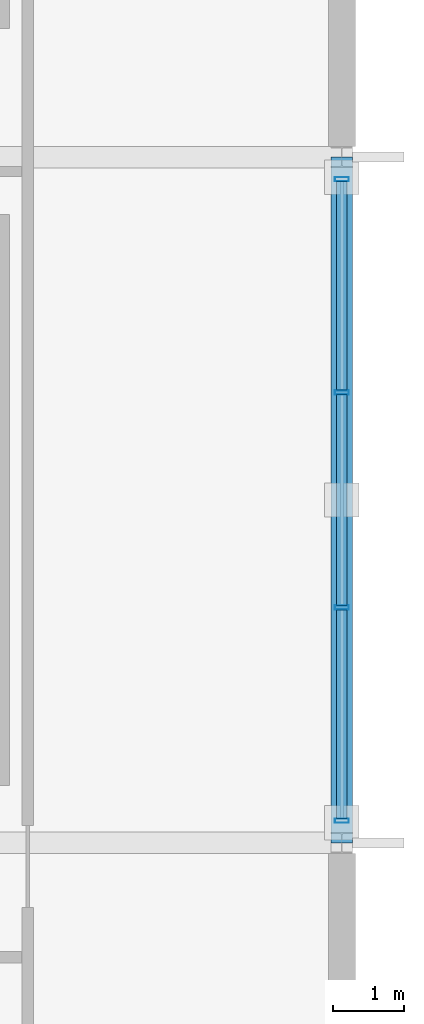
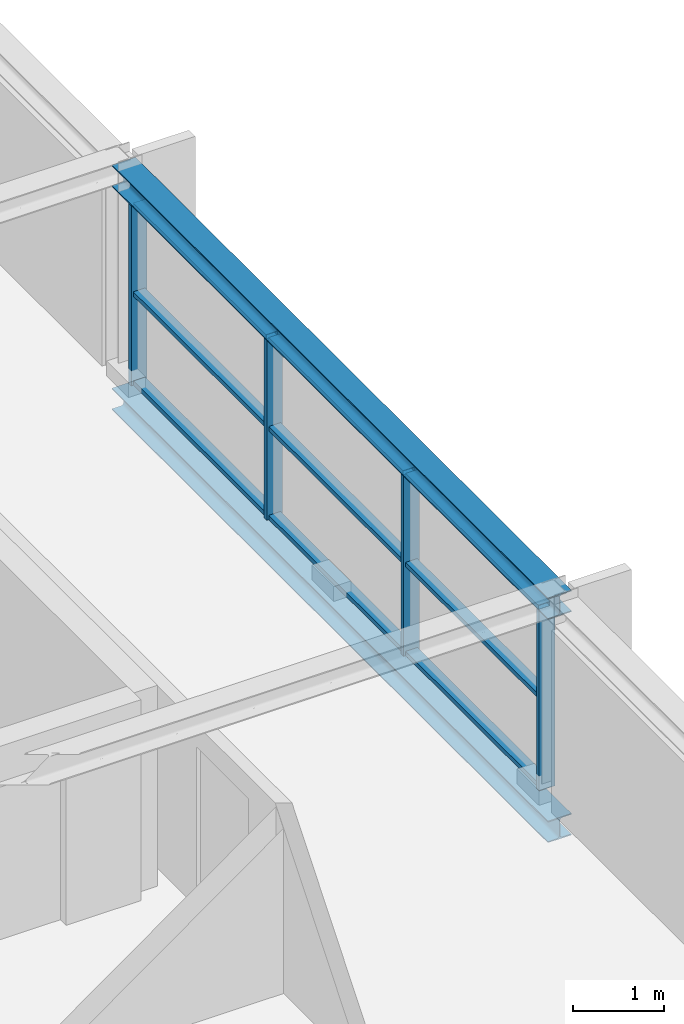
# One storey, part 10 of 14: 13 members, 2 beams, 1 element without a shape of its own.
"""IFC4 building model written with IfcOpenShell, lengths in metres."""

from ifc_helpers import new_model, si_unit, direction, frame, origin, origin_2d, place, context, subcontext, project, spatial, hollow_rectangle, i_section, extrude, material, material_profile, profile_set, type_object, element, aggregate, save


model = new_model("IFC4")

# Units and contexts
model_context = context("Model", 3, precision=1e-05, world=origin(), true_north=direction((0.0, 1.0)))
body_context = subcontext(model_context, "Body", "Model", "MODEL_VIEW")
ifc_project = project(units=[si_unit("LENGTHUNIT", "METRE"), si_unit("AREAUNIT", "SQUARE_METRE"), si_unit("VOLUMEUNIT", "CUBIC_METRE"), si_unit("PLANEANGLEUNIT", "RADIAN"), si_unit("MASSUNIT", "GRAM", prefix="KILO")], contexts=[model_context])

# Site, building, storey
site_placement = place(None, origin())
site = spatial("IfcSite", under=ifc_project, at=site_placement, CompositionType="ELEMENT")
building_placement = place(site_placement, origin())
building = spatial("IfcBuilding", under=site, at=building_placement, Name="Merenkruunu Market Hall", CompositionType="ELEMENT")
storey_placement = place(building_placement, frame((0.0, 0.0, 18.60009765625)))
storey = spatial("IfcBuildingStorey", under=building, at=storey_placement, Name="L04", CompositionType="ELEMENT", Elevation=18.60009765625)

# Curtain wall, members
ifc_material_1 = material(Name="Powder-coated aluminium", Category="aluminium")
curtain_wall_type = type_object("IfcCurtainWallType", Name="Glazed Curtain Wall CW07", PredefinedType="USERDEFINED", material=ifc_material_1)
curtain_wall_placement = place(storey_placement, origin())
curtain_wall = element("IfcCurtainWall", 1, at=curtain_wall_placement, inside=storey, type_object=curtain_wall_type, Name="CW-L04-CWM03-224", ObjectType="GLAZED_FACADE", PredefinedType="USERDEFINED")
ifc_material_profile_1 = material_profile(ifc_material_1, hollow_rectangle(XDim=0.06005859375, YDim=0.199951171875, WallThickness=0.0048828125, at=origin_2d()), Name="ALU 60x200x5")
ifc_profile_set_1 = profile_set([ifc_material_profile_1], Name="Powder-coated aluminium")
member_type_1 = type_object("IfcMemberType", Name="Curtain Wall Mullion CWM03", PredefinedType="MULLION", material=ifc_profile_set_1)
member_1_placement = place(storey_placement, frame((192.0, 15.2900390625, 0.0), z_axis=(0.0, 0.0, 1.0), x_axis=(0.0, -1.0, 0.0)))
member_1 = element("IfcMember", 2, at=member_1_placement, type_object=member_type_1, Name="CW07 mullion 1", PredefinedType="MULLION", context=body_context, shape_type="SweptSolid", body=[
    extrude(hollow_rectangle(XDim=0.06005859375, YDim=0.199951171875, WallThickness=0.0048828125, at=origin_2d()), origin(), (0.0, 0.0, 1.0), 2.449951171875),
])
member_2_placement = place(storey_placement, frame((192.0, 12.306640625, 0.0), z_axis=(0.0, 0.0, 1.0), x_axis=(0.0, -1.0, 0.0)))
member_2 = element("IfcMember", 3, at=member_2_placement, type_object=member_type_1, Name="CW07 mullion 2", PredefinedType="MULLION", context=body_context, shape_type="SweptSolid", body=[
    extrude(hollow_rectangle(XDim=0.06005859375, YDim=0.199951171875, WallThickness=0.0048828125, at=origin_2d()), origin(), (0.0, 0.0, 1.0), 2.449951171875),
])
member_3_placement = place(storey_placement, frame((192.0, 9.293212890625, 0.0), z_axis=(0.0, 0.0, 1.0), x_axis=(0.0, -1.0, 0.0)))
member_3 = element("IfcMember", 4, at=member_3_placement, type_object=member_type_1, Name="CW07 mullion 3", PredefinedType="MULLION", context=body_context, shape_type="SweptSolid", body=[
    extrude(hollow_rectangle(XDim=0.06005859375, YDim=0.199951171875, WallThickness=0.0048828125, at=origin_2d()), origin(), (0.0, 0.0, 1.0), 2.449951171875),
])
member_4_placement = place(storey_placement, frame((192.0, 6.31005859375, 0.0), z_axis=(0.0, 0.0, 1.0), x_axis=(0.0, -1.0, 0.0)))
member_4 = element("IfcMember", 5, at=member_4_placement, type_object=member_type_1, Name="CW07 mullion 4", PredefinedType="MULLION", context=body_context, shape_type="SweptSolid", body=[
    extrude(hollow_rectangle(XDim=0.06005859375, YDim=0.199951171875, WallThickness=0.0048828125, at=origin_2d()), origin(), (0.0, 0.0, 1.0), 2.449951171875),
])
ifc_material_profile_2 = material_profile(ifc_material_1, hollow_rectangle(XDim=0.06005859375, YDim=0.14990234375, WallThickness=0.00390625, at=origin_2d()), Name="ALU 60x150x4")
ifc_profile_set_2 = profile_set([ifc_material_profile_2], Name="Powder-coated aluminium")
member_type_2 = type_object("IfcMemberType", Name="Curtain Wall Transom CWT04", PredefinedType="USERDEFINED", material=ifc_profile_set_2)
member_5_placement = place(storey_placement, frame((192.0, 15.260009765625, 0.02978515625), z_axis=(0.0, -1.0, 0.0), x_axis=(0.0, 0.0, 1.0)))
member_5 = element("IfcMember", 6, at=member_5_placement, type_object=member_type_2, Name="CW07 transom 1.1", ObjectType="TRANSOM", PredefinedType="USERDEFINED", context=body_context, shape_type="SweptSolid", body=[
    extrude(hollow_rectangle(XDim=0.06005859375, YDim=0.14990234375, WallThickness=0.00390625, at=origin_2d()), origin(), (0.0, 0.0, 1.0), 2.92333984375),
])
member_6_placement = place(storey_placement, frame((192.0, 15.260009765625, 1.224853515625), z_axis=(0.0, -1.0, 0.0), x_axis=(0.0, 0.0, 1.0)))
member_6 = element("IfcMember", 7, at=member_6_placement, type_object=member_type_2, Name="CW07 transom 1.2", ObjectType="TRANSOM", PredefinedType="USERDEFINED", context=body_context, shape_type="SweptSolid", body=[
    extrude(hollow_rectangle(XDim=0.06005859375, YDim=0.14990234375, WallThickness=0.00390625, at=origin_2d()), origin(), (0.0, 0.0, 1.0), 2.92333984375),
])
member_7_placement = place(storey_placement, frame((192.0, 15.260009765625, 2.419921875), z_axis=(0.0, -1.0, 0.0), x_axis=(0.0, 0.0, 1.0)))
member_7 = element("IfcMember", 8, at=member_7_placement, type_object=member_type_2, Name="CW07 transom 1.3", ObjectType="TRANSOM", PredefinedType="USERDEFINED", context=body_context, shape_type="SweptSolid", body=[
    extrude(hollow_rectangle(XDim=0.06005859375, YDim=0.14990234375, WallThickness=0.00390625, at=origin_2d()), origin(), (0.0, 0.0, 1.0), 2.92333984375),
])
member_8_placement = place(storey_placement, frame((192.0, 12.276611328125, 0.02978515625), z_axis=(0.0, -1.0, 0.0), x_axis=(0.0, 0.0, 1.0)))
member_8 = element("IfcMember", 9, at=member_8_placement, type_object=member_type_2, Name="CW07 transom 2.1", ObjectType="TRANSOM", PredefinedType="USERDEFINED", context=body_context, shape_type="SweptSolid", body=[
    extrude(hollow_rectangle(XDim=0.06005859375, YDim=0.14990234375, WallThickness=0.00390625, at=origin_2d()), origin(), (0.0, 0.0, 1.0), 2.953369140625),
])
member_9_placement = place(storey_placement, frame((192.0, 12.276611328125, 1.224853515625), z_axis=(0.0, -1.0, 0.0), x_axis=(0.0, 0.0, 1.0)))
member_9 = element("IfcMember", 10, at=member_9_placement, type_object=member_type_2, Name="CW07 transom 2.2", ObjectType="TRANSOM", PredefinedType="USERDEFINED", context=body_context, shape_type="SweptSolid", body=[
    extrude(hollow_rectangle(XDim=0.06005859375, YDim=0.14990234375, WallThickness=0.00390625, at=origin_2d()), origin(), (0.0, 0.0, 1.0), 2.953369140625),
])
member_10_placement = place(storey_placement, frame((192.0, 12.276611328125, 2.419921875), z_axis=(0.0, -1.0, 0.0), x_axis=(0.0, 0.0, 1.0)))
member_10 = element("IfcMember", 11, at=member_10_placement, type_object=member_type_2, Name="CW07 transom 2.3", ObjectType="TRANSOM", PredefinedType="USERDEFINED", context=body_context, shape_type="SweptSolid", body=[
    extrude(hollow_rectangle(XDim=0.06005859375, YDim=0.14990234375, WallThickness=0.00390625, at=origin_2d()), origin(), (0.0, 0.0, 1.0), 2.953369140625),
])
member_11_placement = place(storey_placement, frame((192.0, 9.263427734375, 0.02978515625), z_axis=(0.0, -1.0, 0.0), x_axis=(0.0, 0.0, 1.0)))
member_11 = element("IfcMember", 12, at=member_11_placement, type_object=member_type_2, Name="CW07 transom 3.1", ObjectType="TRANSOM", PredefinedType="USERDEFINED", context=body_context, shape_type="SweptSolid", body=[
    extrude(hollow_rectangle(XDim=0.06005859375, YDim=0.14990234375, WallThickness=0.00390625, at=origin_2d()), origin(), (0.0, 0.0, 1.0), 2.92333984375),
])
member_12_placement = place(storey_placement, frame((192.0, 9.263427734375, 1.224853515625), z_axis=(0.0, -1.0, 0.0), x_axis=(0.0, 0.0, 1.0)))
member_12 = element("IfcMember", 13, at=member_12_placement, type_object=member_type_2, Name="CW07 transom 3.2", ObjectType="TRANSOM", PredefinedType="USERDEFINED", context=body_context, shape_type="SweptSolid", body=[
    extrude(hollow_rectangle(XDim=0.06005859375, YDim=0.14990234375, WallThickness=0.00390625, at=origin_2d()), origin(), (0.0, 0.0, 1.0), 2.92333984375),
])
member_13_placement = place(storey_placement, frame((192.0, 9.263427734375, 2.419921875), z_axis=(0.0, -1.0, 0.0), x_axis=(0.0, 0.0, 1.0)))
member_13 = element("IfcMember", 14, at=member_13_placement, type_object=member_type_2, Name="CW07 transom 3.3", ObjectType="TRANSOM", PredefinedType="USERDEFINED", context=body_context, shape_type="SweptSolid", body=[
    extrude(hollow_rectangle(XDim=0.06005859375, YDim=0.14990234375, WallThickness=0.00390625, at=origin_2d()), origin(), (0.0, 0.0, 1.0), 2.92333984375),
])
aggregate(curtain_wall, [member_1, member_2, member_3, member_4, member_5, member_6, member_7, member_8, member_9, member_10, member_11, member_12, member_13])

# Beams
ifc_material_2 = material(Name="Steel S355J2", Category="steel")
ifc_material_profile_3 = material_profile(ifc_material_2, i_section(OverallWidth=0.300048828125, OverallDepth=0.2900390625, WebThickness=0.008544921875, FlangeThickness=0.013916015625, FilletRadius=0.027099609375, at=origin_2d()), Name="HEA 300")
ifc_profile_set_3 = profile_set([ifc_material_profile_3], Name="Steel S355J2")
beam_type = type_object("IfcBeamType", Name="Primary Floor Girder B09", PredefinedType="BEAM", material=ifc_profile_set_3)
for number, where, z_axis, x_axis, name in (
    (15, (192.0, 6.0, -0.364990234375), (0.0, 1.0, 0.0), (-1.0, 0.0, 0.0), "BM-L04-B09-0943"),
    (16, (192.0, 6.0, 2.635009765625), (0.0, 1.0, 0.0), (-1.0, 0.0, 0.0), "BM-L04-B09-1331"),
):
    element("IfcBeam", number, at=place(storey_placement, frame(where, z_axis=z_axis, x_axis=x_axis)), inside=storey, type_object=beam_type, Name=name, PredefinedType="BEAM", context=body_context, shape_type="SweptSolid", body=[
        extrude(i_section(OverallWidth=0.300048828125, OverallDepth=0.2900390625, WebThickness=0.008544921875, FlangeThickness=0.013916015625, FilletRadius=0.027099609375, at=origin_2d()), origin(), (0.0, 0.0, 1.0), 9.60009765625),
    ])

save(model, "model.ifc")
